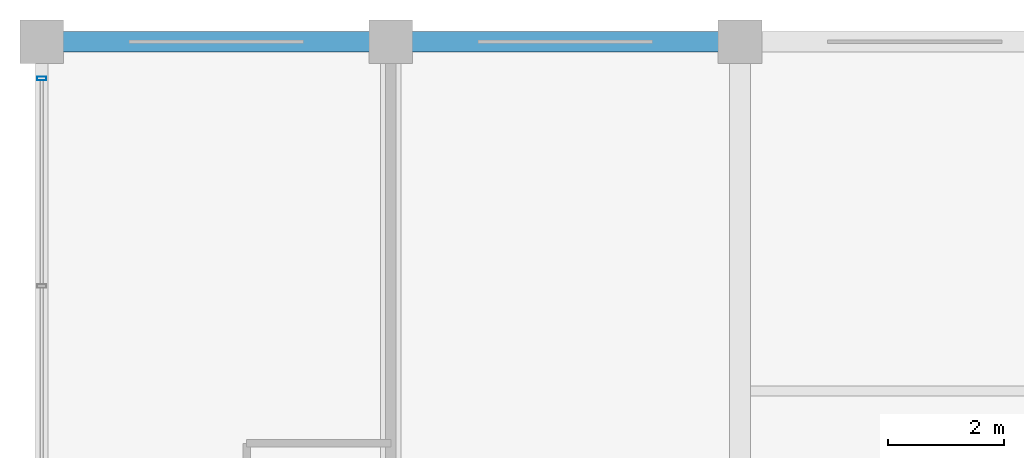
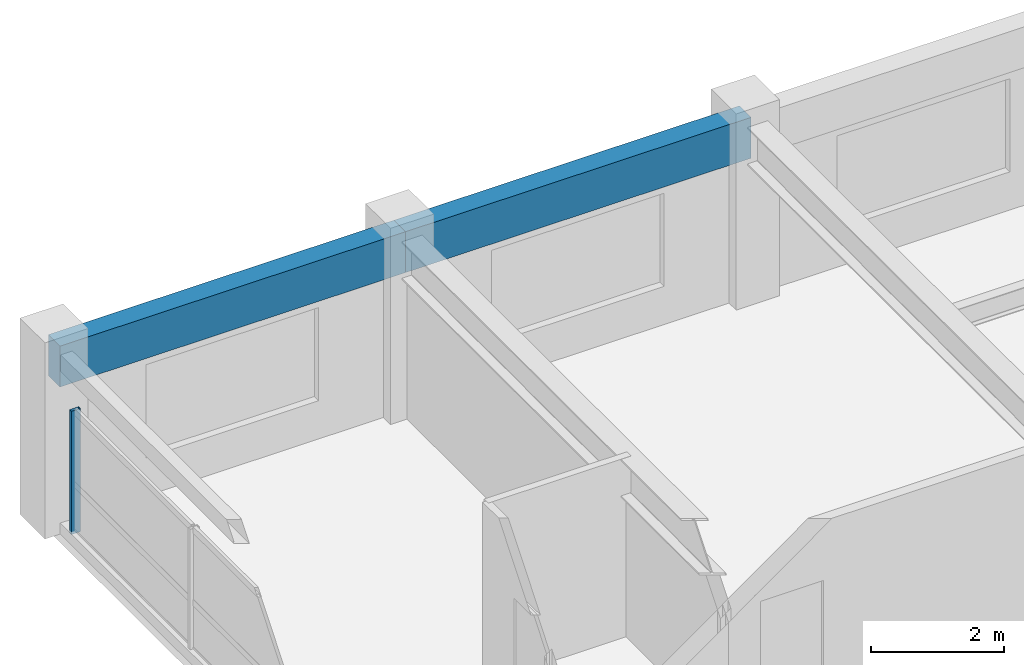
# One storey, part 12 of 20: 2 beams, 1 member, 1 element without a shape of its own.
"""IFC4 building model written with IfcOpenShell, lengths in metres."""

from ifc_helpers import new_model, si_unit, direction, frame, origin, origin_2d, place, context, subcontext, project, spatial, rectangle, hollow_rectangle, extrude, material, material_profile, profile_set, type_object, element, aggregate, save


model = new_model("IFC4")

# Units and contexts
model_context = context("Model", 3, precision=1e-05, world=origin(), true_north=direction((0.0, 1.0)))
body_context = subcontext(model_context, "Body", "Model", "MODEL_VIEW")
ifc_project = project(units=[si_unit("LENGTHUNIT", "METRE"), si_unit("AREAUNIT", "SQUARE_METRE"), si_unit("VOLUMEUNIT", "CUBIC_METRE"), si_unit("PLANEANGLEUNIT", "RADIAN"), si_unit("MASSUNIT", "GRAM", prefix="KILO")], contexts=[model_context])

# Site, building, storey
site_placement = place(None, origin())
site = spatial("IfcSite", under=ifc_project, at=site_placement, CompositionType="ELEMENT")
building_placement = place(site_placement, origin())
building = spatial("IfcBuilding", under=site, at=building_placement, Name="Kaldorvane Square Convention Centre", CompositionType="ELEMENT")
storey_placement = place(building_placement, frame((0.0, 0.0, 52.80000305175781)))
storey = spatial("IfcBuildingStorey", under=building, at=storey_placement, Name="L12", CompositionType="ELEMENT", Elevation=52.80000305175781)

# Beams
ifc_material_1 = material(Name="Concrete f'c = 42 MPa (Normalweight)", Category="concrete")
ifc_material_profile_1 = material_profile(ifc_material_1, rectangle(XDim=0.350006103515625, YDim=0.75, at=origin_2d()), Name="RCSP750X350")
ifc_profile_set_1 = profile_set([ifc_material_profile_1], Name="Concrete f'c = 42 MPa (Normalweight)")
beam_type = type_object("IfcBeamType", Name="BM-SP-RC750", PredefinedType="SPANDREL", material=ifc_profile_set_1)
for number, where, z_axis, x_axis, name in (
    (1, (30.0, 117.0, 2.9109954833984375), (1.0, 0.0, 0.0), (0.0, 1.0, 0.0), "Perimeter Spandrel (L12)"),
    (2, (36.0, 117.0, 2.9109954833984375), (1.0, 0.0, 0.0), (0.0, 1.0, 0.0), "Perimeter Spandrel (L12)"),
):
    element("IfcBeam", number, at=place(storey_placement, frame(where, z_axis=z_axis, x_axis=x_axis)), inside=storey, type_object=beam_type, Name=name, PredefinedType="SPANDREL", context=body_context, shape_type="SweptSolid", body=[
        extrude(rectangle(XDim=0.350006103515625, YDim=0.75, at=origin_2d()), origin(), (0.0, 0.0, 1.0), 6.0),
    ])

# Curtain wall, member
ifc_material_2 = material(Name="Anodized Aluminum and Low-E Insulated Glazing", Category="aluminium")
curtain_wall_type = type_object("IfcCurtainWallType", Name="CW-UNI-HTL-B", PredefinedType="USERDEFINED", material=ifc_material_2)
curtain_wall_placement = place(storey_placement, origin())
curtain_wall = element("IfcCurtainWall", 3, at=curtain_wall_placement, inside=storey, type_object=curtain_wall_type, Name="Curtain Wall CW-11 (L12)", ObjectType="UNITISED GLAZING", PredefinedType="USERDEFINED")
ifc_material_profile_2 = material_profile(ifc_material_2, hollow_rectangle(XDim=0.05999755859375, YDim=0.160003662109375, WallThickness=0.003204345703125, at=origin_2d()), Name="CWM-160X60")
ifc_profile_set_2 = profile_set([ifc_material_profile_2], Name="Anodized Aluminum and Low-E Insulated Glazing")
member_type = type_object("IfcMemberType", Name="CW-MUL-160", PredefinedType="MULLION", material=ifc_profile_set_2)
member_placement = place(storey_placement, frame((30.0, 116.3699951171875, 0.149993896484375), z_axis=(0.0, 0.0, 1.0), x_axis=(0.0, -1.0, 0.0)))
member = element("IfcMember", 4, at=member_placement, type_object=member_type, Name="CW-11 mullion 1", PredefinedType="MULLION", context=body_context, shape_type="SweptSolid", body=[
    extrude(hollow_rectangle(XDim=0.05999755859375, YDim=0.160003662109375, WallThickness=0.003204345703125, at=origin_2d()), origin(), (0.0, 0.0, 1.0), 2.260009765625),
])
aggregate(curtain_wall, [member])

save(model, "model.ifc")
